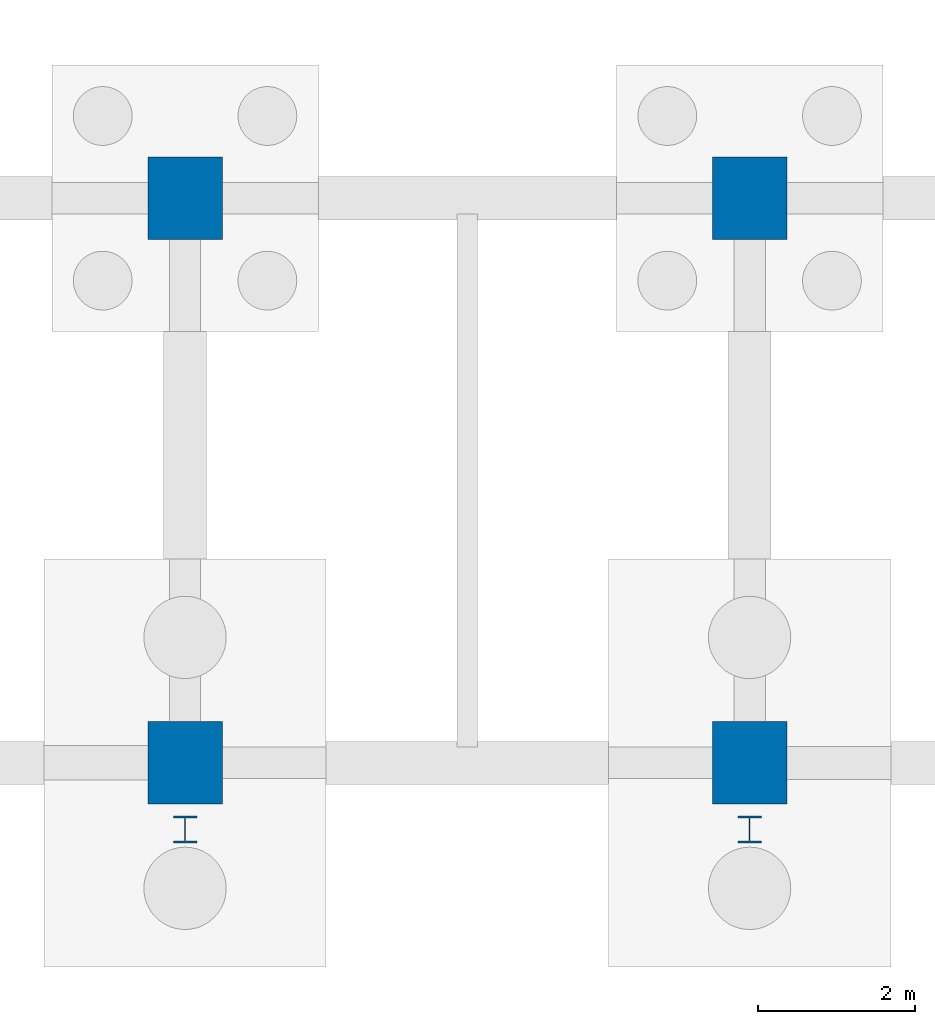
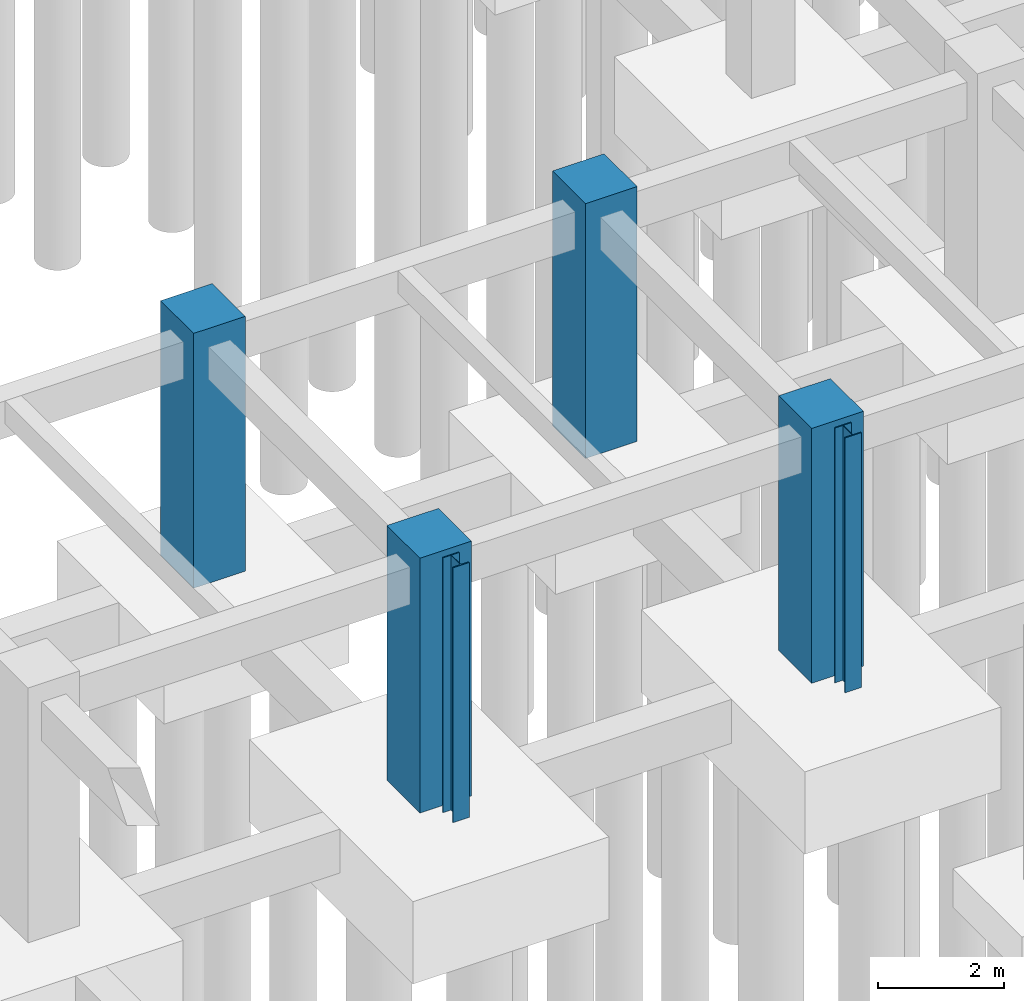
# One storey, part 17 of 47: 6 columns.
"""IFC4 building model written with IfcOpenShell, lengths in metres."""

from ifc_helpers import new_model, si_unit, direction, frame, origin, origin_2d, place, context, subcontext, project, spatial, rectangle, i_section, extrude, material, material_profile, profile_set, type_object, element, save


model = new_model("IFC4")

# Units and contexts
model_context = context("Model", 3, precision=1e-05, world=origin(), true_north=direction((0.0, 1.0)))
body_context = subcontext(model_context, "Body", "Model", "MODEL_VIEW")
ifc_project = project(units=[si_unit("LENGTHUNIT", "METRE"), si_unit("AREAUNIT", "SQUARE_METRE"), si_unit("VOLUMEUNIT", "CUBIC_METRE"), si_unit("PLANEANGLEUNIT", "RADIAN"), si_unit("MASSUNIT", "GRAM", prefix="KILO")], contexts=[model_context])

# Site, building, storey
site_placement = place(None, origin())
site = spatial("IfcSite", under=ifc_project, at=site_placement, CompositionType="ELEMENT")
building_placement = place(site_placement, origin())
building = spatial("IfcBuilding", under=site, at=building_placement, Name="Thalmaran Polytechnic", CompositionType="ELEMENT")
storey_placement = place(building_placement, frame((0.0, 0.0, -4.5)))
storey = spatial("IfcBuildingStorey", under=building, at=storey_placement, Name="B1", CompositionType="ELEMENT", Elevation=-4.5)

# Columns
ifc_material_1 = material(Name="Steel S355", Category="steel")
ifc_material_profile_1 = material_profile(ifc_material_1, i_section(OverallWidth=0.300048828125, OverallDepth=0.340087890625, WebThickness=0.011962890625, FlangeThickness=0.021484375, at=origin_2d()), Name="HEB 340")
ifc_profile_set_1 = profile_set([ifc_material_profile_1], Name="Steel S355")
column_type_1 = type_object("IfcColumnType", Name="COL-SC1", PredefinedType="COLUMN", material=ifc_profile_set_1)
for number, where, z_axis, x_axis, name in (
    (1, (115.199951171875, 49.550048828125, -0.449951171875), (0.0, 0.0, 1.0), (1.0, 0.0, 0.0), "Workshop Crane Runway Column B1 (16,7)"),
    (2, (122.39990234375, 49.550048828125, -0.449951171875), (0.0, 0.0, 1.0), (1.0, 0.0, 0.0), "Workshop Crane Runway Column B1 (17,7)"),
):
    element("IfcColumn", number, at=place(storey_placement, frame(where, z_axis=z_axis, x_axis=x_axis)), inside=storey, type_object=column_type_1, Name=name, PredefinedType="COLUMN", context=body_context, shape_type="SweptSolid", body=[
        extrude(i_section(OverallWidth=0.300048828125, OverallDepth=0.340087890625, WebThickness=0.011962890625, FlangeThickness=0.021484375, at=origin_2d()), origin(), (0.0, 0.0, 1.0), 4.949951171875),
    ])
ifc_material_2 = material(Name="Concrete C50/60", Category="concrete")
ifc_material_profile_2 = material_profile(ifc_material_2, rectangle(XDim=0.949951171875, YDim=1.050048828125, at=origin_2d()), Name="RC 950x1050")
ifc_profile_set_2 = profile_set([ifc_material_profile_2], Name="Concrete C50/60")
column_type_2 = type_object("IfcColumnType", Name="COL-WP2", PredefinedType="COLUMN", material=ifc_profile_set_2)
for number, where, z_axis, x_axis, name in (
    (3, (115.199951171875, 50.39990234375, -0.449951171875), (0.0, 0.0, 1.0), (1.0, 0.0, 0.0), "Column WP2 B1 (16,7)"),
    (4, (115.199951171875, 57.60009765625, -0.449951171875), (0.0, 0.0, 1.0), (1.0, 0.0, 0.0), "Column WP2 B1 (16,8)"),
    (5, (122.39990234375, 50.39990234375, -0.449951171875), (0.0, 0.0, 1.0), (1.0, 0.0, 0.0), "Column WP2 B1 (17,7)"),
    (6, (122.39990234375, 57.60009765625, -0.449951171875), (0.0, 0.0, 1.0), (1.0, 0.0, 0.0), "Column WP2 B1 (17,8)"),
):
    element("IfcColumn", number, at=place(storey_placement, frame(where, z_axis=z_axis, x_axis=x_axis)), inside=storey, type_object=column_type_2, Name=name, PredefinedType="COLUMN", context=body_context, shape_type="SweptSolid", body=[
        extrude(rectangle(XDim=0.949951171875, YDim=1.050048828125, at=origin_2d()), origin(), (0.0, 0.0, 1.0), 4.949951171875),
    ])

save(model, "model.ifc")
